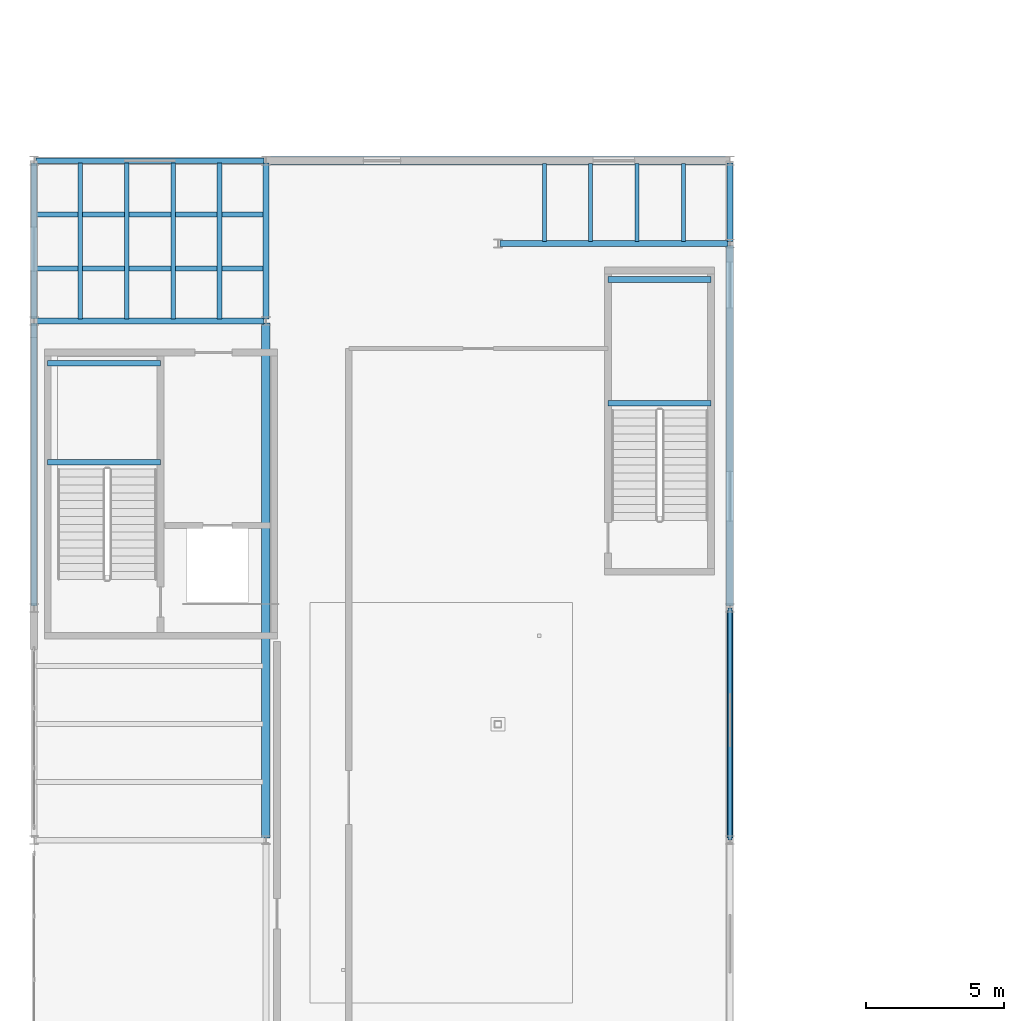
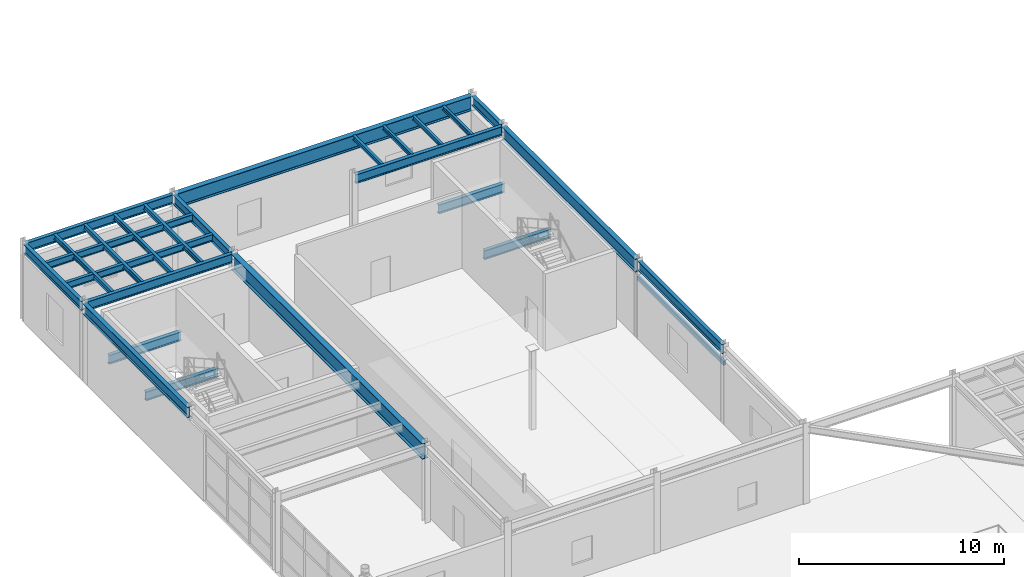
# One storey, part 63 of 116: 26 beams.
"""IFC4 building model written with IfcOpenShell, lengths in metres."""

from ifc_helpers import new_model, si_unit, direction, frame, origin, origin_2d, place, context, subcontext, project, spatial, hollow_rectangle, i_section, extrude, material, material_profile, profile_set, type_object, element, save


model = new_model("IFC4")

# Units and contexts
model_context = context("Model", 3, precision=1e-05, world=origin(), true_north=direction((0.0, 1.0)))
body_context = subcontext(model_context, "Body", "Model", "MODEL_VIEW")
ifc_project = project(units=[si_unit("LENGTHUNIT", "METRE"), si_unit("AREAUNIT", "SQUARE_METRE"), si_unit("VOLUMEUNIT", "CUBIC_METRE"), si_unit("PLANEANGLEUNIT", "RADIAN"), si_unit("MASSUNIT", "GRAM", prefix="KILO")], contexts=[model_context])

# Site, building, storey
site_placement = place(None, origin())
site = spatial("IfcSite", under=ifc_project, at=site_placement, CompositionType="ELEMENT")
building_placement = place(site_placement, origin())
building = spatial("IfcBuilding", under=site, at=building_placement, Name="Selat Folded Stagehouse", CompositionType="ELEMENT")
storey_placement = place(building_placement, frame((0.0, 0.0, 5.39990234375)))
storey = spatial("IfcBuildingStorey", under=building, at=storey_placement, Name="L01", CompositionType="ELEMENT", Elevation=5.39990234375)

# Beams
ifc_material = material(Name="Steel S355", Category="steel")
ifc_material_profile_1 = material_profile(ifc_material, i_section(OverallWidth=0.210693359375, OverallDepth=0.53955078125, WebThickness=0.01171875, FlangeThickness=0.018798828125, FilletRadius=0.0126953125, at=origin_2d()), Name="UKB 533x210x109")
ifc_profile_set_1 = profile_set([ifc_material_profile_1], Name="Steel S355")
beam_type_1 = type_object("IfcBeamType", Name="BM-GIRD-533x210x109", PredefinedType="BEAM", material=ifc_profile_set_1)
for number, where, z_axis, x_axis, name in (
    (1, (0.0, 81.277099609375, 4.310302734375), (0.0, 1.0, 0.0), (-1.0, 0.0, 0.0), "L01 primary y-girder 0806"),
    (2, (8.39990234375, 81.277099609375, 4.310302734375), (0.0, 1.0, 0.0), (-1.0, 0.0, 0.0), "L01 primary y-girder 0809"),
):
    element("IfcBeam", number, at=place(storey_placement, frame(where, z_axis=z_axis, x_axis=x_axis)), inside=storey, type_object=beam_type_1, Name=name, PredefinedType="BEAM", context=body_context, shape_type="SweptSolid", body=[
        extrude(i_section(OverallWidth=0.210693359375, OverallDepth=0.53955078125, WebThickness=0.01171875, FlangeThickness=0.018798828125, FilletRadius=0.0126953125, at=origin_2d()), origin(), (0.0, 0.0, 1.0), 5.64599609375),
    ])
beam_1_placement = place(storey_placement, frame((25.199951171875, 62.47705078125, 4.310302734375), z_axis=(0.0, 1.0, 0.0), x_axis=(-1.0, 0.0, 0.0)))
element("IfcBeam", 3, at=beam_1_placement, inside=storey, type_object=beam_type_1, Name="L01 primary y-girder 0811", PredefinedType="BEAM", context=body_context, shape_type="SweptSolid", body=[
    extrude(i_section(OverallWidth=0.210693359375, OverallDepth=0.53955078125, WebThickness=0.01171875, FlangeThickness=0.018798828125, FilletRadius=0.0126953125, at=origin_2d()), origin(), (0.0, 0.0, 1.0), 8.245849609375),
])
beam_2_placement = place(storey_placement, frame((25.199951171875, 84.076904296875, 4.310302734375), z_axis=(0.0, 1.0, 0.0), x_axis=(-1.0, 0.0, 0.0)))
element("IfcBeam", 4, at=beam_2_placement, inside=storey, type_object=beam_type_1, Name="L01 primary y-girder 0813", PredefinedType="BEAM", context=body_context, shape_type="SweptSolid", body=[
    extrude(i_section(OverallWidth=0.210693359375, OverallDepth=0.53955078125, WebThickness=0.01171875, FlangeThickness=0.018798828125, FilletRadius=0.0126953125, at=origin_2d()), origin(), (0.0, 0.0, 1.0), 2.84619140625),
])
ifc_material_profile_2 = material_profile(ifc_material, i_section(OverallWidth=0.209228515625, OverallDepth=0.533203125, WebThickness=0.010009765625, FlangeThickness=0.015625, FilletRadius=0.0126953125, at=origin_2d()), Name="UKB 533x210x92")
ifc_profile_set_2 = profile_set([ifc_material_profile_2], Name="Steel S355")
beam_type_2 = type_object("IfcBeamType", Name="BM-GIRD-533x210x92", PredefinedType="BEAM", material=ifc_profile_set_2)
for number, where, z_axis, x_axis, name in (
    (5, (0.076904296875, 81.199951171875, 4.3134765625), (1.0, 0.0, 0.0), (0.0, 1.0, 0.0), "L01 primary x-girder 0800"),
    (6, (16.876953125, 84.0, 4.3134765625), (1.0, 0.0, 0.0), (0.0, 1.0, 0.0), "L01 primary x-girder 0801"),
    (7, (0.076904296875, 87.0, 4.3134765625), (1.0, 0.0, 0.0), (0.0, 1.0, 0.0), "L01 primary x-girder 0802"),
):
    element("IfcBeam", number, at=place(storey_placement, frame(where, z_axis=z_axis, x_axis=x_axis)), inside=storey, type_object=beam_type_2, Name=name, PredefinedType="BEAM", context=body_context, shape_type="SweptSolid", body=[
        extrude(i_section(OverallWidth=0.209228515625, OverallDepth=0.533203125, WebThickness=0.010009765625, FlangeThickness=0.015625, FilletRadius=0.0126953125, at=origin_2d()), origin(), (0.0, 0.0, 1.0), 8.24609375),
    ])
for number, where, z_axis, x_axis, name in (
    (8, (0.5, 76.080078125, 1.93359375), (1.0, 0.0, 0.0), (0.0, 1.0, 0.0), "L01 ST-05 landing support beam 1"),
    (9, (0.5, 79.669921875, 1.93359375), (1.0, 0.0, 0.0), (0.0, 1.0, 0.0), "L01 ST-05 landing support beam 2"),
):
    element("IfcBeam", number, at=place(storey_placement, frame(where, z_axis=z_axis, x_axis=x_axis)), inside=storey, type_object=beam_type_2, Name=name, PredefinedType="BEAM", context=body_context, shape_type="SweptSolid", body=[
        extrude(i_section(OverallWidth=0.209228515625, OverallDepth=0.533203125, WebThickness=0.010009765625, FlangeThickness=0.015625, FilletRadius=0.0126953125, at=origin_2d()), origin(), (0.0, 0.0, 1.0), 4.080078125),
    ])
for number, where, z_axis, x_axis, name in (
    (10, (20.780029296875, 78.219970703125, 1.93359375), (1.0, 0.0, 0.0), (0.0, 1.0, 0.0), "L01 ST-07 landing support beam 1"),
    (11, (20.780029296875, 82.699951171875, 1.93359375), (1.0, 0.0, 0.0), (0.0, 1.0, 0.0), "L01 ST-07 landing support beam 2"),
):
    element("IfcBeam", number, at=place(storey_placement, frame(where, z_axis=z_axis, x_axis=x_axis)), inside=storey, type_object=beam_type_2, Name=name, PredefinedType="BEAM", context=body_context, shape_type="SweptSolid", body=[
        extrude(i_section(OverallWidth=0.209228515625, OverallDepth=0.533203125, WebThickness=0.010009765625, FlangeThickness=0.015625, FilletRadius=0.0126953125, at=origin_2d()), origin(), (0.0, 0.0, 1.0), 3.739990234375),
    ])
ifc_material_profile_3 = material_profile(ifc_material, i_section(OverallWidth=0.230224609375, OverallDepth=0.6171875, WebThickness=0.01318359375, FlangeThickness=0.022216796875, FilletRadius=0.0126953125, at=origin_2d()), Name="UKB 610x229x140")
ifc_profile_set_3 = profile_set([ifc_material_profile_3], Name="Steel S355")
beam_type_3 = type_object("IfcBeamType", Name="BM-GIRD-610x229x140", PredefinedType="BEAM", material=ifc_profile_set_3)
beam_3_placement = place(storey_placement, frame((0.0, 70.876953125, 4.271484375), z_axis=(0.0, 1.0, 0.0), x_axis=(-1.0, 0.0, 0.0)))
element("IfcBeam", 12, at=beam_3_placement, inside=storey, type_object=beam_type_3, Name="L01 primary y-girder 0805", PredefinedType="BEAM", context=body_context, shape_type="SweptSolid", body=[
    extrude(i_section(OverallWidth=0.230224609375, OverallDepth=0.6171875, WebThickness=0.01318359375, FlangeThickness=0.022216796875, FilletRadius=0.0126953125, at=origin_2d()), origin(), (0.0, 0.0, 1.0), 10.24609375),
])
ifc_material_profile_4 = material_profile(ifc_material, i_section(OverallWidth=0.26806640625, OverallDepth=0.769775390625, WebThickness=0.015625, FlangeThickness=0.025390625, FilletRadius=0.0166015625, at=origin_2d()), Name="UKB 762x267x197")
ifc_profile_set_4 = profile_set([ifc_material_profile_4], Name="Steel S355")
beam_type_4 = type_object("IfcBeamType", Name="BM-GIRD-762x267x197", PredefinedType="BEAM", material=ifc_profile_set_4)
beam_4_placement = place(storey_placement, frame((25.199951171875, 70.876953125, 4.1953125), z_axis=(0.0, 1.0, 0.0), x_axis=(-1.0, 0.0, 0.0)))
element("IfcBeam", 13, at=beam_4_placement, inside=storey, type_object=beam_type_4, Name="L01 primary y-girder 0812", PredefinedType="BEAM", context=body_context, shape_type="SweptSolid", body=[
    extrude(i_section(OverallWidth=0.26806640625, OverallDepth=0.769775390625, WebThickness=0.015625, FlangeThickness=0.025390625, FilletRadius=0.0166015625, at=origin_2d()), origin(), (0.0, 0.0, 1.0), 13.046142578125),
])
ifc_material_profile_5 = material_profile(ifc_material, i_section(OverallWidth=0.293701171875, OverallDepth=0.850830078125, WebThickness=0.01611328125, FlangeThickness=0.02685546875, FilletRadius=0.017822265625, at=origin_2d()), Name="UKB 838x292x226")
ifc_profile_set_5 = profile_set([ifc_material_profile_5], Name="Steel S355")
beam_type_5 = type_object("IfcBeamType", Name="BM-LONG-838x292x226", PredefinedType="BEAM", material=ifc_profile_set_5)
beam_5_placement = place(storey_placement, frame((8.47705078125, 87.0, 4.15478515625), z_axis=(1.0, 0.0, 0.0), x_axis=(0.0, 1.0, 0.0)))
element("IfcBeam", 14, at=beam_5_placement, inside=storey, type_object=beam_type_5, Name="L01 primary x-girder 0803", PredefinedType="BEAM", context=body_context, shape_type="SweptSolid", body=[
    extrude(i_section(OverallWidth=0.293701171875, OverallDepth=0.850830078125, WebThickness=0.01611328125, FlangeThickness=0.02685546875, FilletRadius=0.017822265625, at=origin_2d()), origin(), (0.0, 0.0, 1.0), 16.64599609375),
])
ifc_material_profile_6 = material_profile(ifc_material, i_section(OverallWidth=0.305419921875, OverallDepth=0.91845703125, WebThickness=0.017333984375, FlangeThickness=0.02783203125, FilletRadius=0.01904296875, at=origin_2d()), Name="UKB 914x305x253")
ifc_profile_set_6 = profile_set([ifc_material_profile_6], Name="Steel S355")
beam_type_6 = type_object("IfcBeamType", Name="BM-LONG-914x305x253", PredefinedType="BEAM", material=ifc_profile_set_6)
beam_6_placement = place(storey_placement, frame((8.39990234375, 62.47705078125, 4.120849609375), z_axis=(0.0, 1.0, 0.0), x_axis=(-1.0, 0.0, 0.0)))
element("IfcBeam", 15, at=beam_6_placement, inside=storey, type_object=beam_type_6, Name="L01 primary y-girder 0808", PredefinedType="BEAM", context=body_context, shape_type="SweptSolid", body=[
    extrude(i_section(OverallWidth=0.305419921875, OverallDepth=0.91845703125, WebThickness=0.017333984375, FlangeThickness=0.02783203125, FilletRadius=0.01904296875, at=origin_2d()), origin(), (0.0, 0.0, 1.0), 18.64599609375),
])
ifc_material_profile_7 = material_profile(ifc_material, i_section(OverallWidth=0.14599609375, OverallDepth=0.25146484375, WebThickness=0.006103515625, FlangeThickness=0.008544921875, FilletRadius=0.007568359375, at=origin_2d()), Name="UKB 254x146x31")
ifc_profile_set_7 = profile_set([ifc_material_profile_7], Name="Steel S355")
beam_type_7 = type_object("IfcBeamType", Name="JST-254x146x31", PredefinedType="JOIST", material=ifc_profile_set_7)
for number, where, z_axis, x_axis, name in (
    (16, (18.47998046875, 84.0732421875, 4.454345703125), (0.0, 1.0, 0.0), (-1.0, 0.0, 0.0), "L01 secondary floor joist 0858"),
    (17, (20.159912109375, 84.0732421875, 4.454345703125), (0.0, 1.0, 0.0), (-1.0, 0.0, 0.0), "L01 secondary floor joist 0859"),
    (18, (21.840087890625, 84.0732421875, 4.454345703125), (0.0, 1.0, 0.0), (-1.0, 0.0, 0.0), "L01 secondary floor joist 0860"),
    (19, (23.52001953125, 84.0732421875, 4.454345703125), (0.0, 1.0, 0.0), (-1.0, 0.0, 0.0), "L01 secondary floor joist 0861"),
):
    element("IfcBeam", number, at=place(storey_placement, frame(where, z_axis=z_axis, x_axis=x_axis)), inside=storey, type_object=beam_type_7, Name=name, PredefinedType="JOIST", context=body_context, shape_type="SweptSolid", body=[
        extrude(i_section(OverallWidth=0.14599609375, OverallDepth=0.25146484375, WebThickness=0.006103515625, FlangeThickness=0.008544921875, FilletRadius=0.007568359375, at=origin_2d()), origin(), (0.0, 0.0, 1.0), 2.823974609375),
    ])
ifc_material_profile_8 = material_profile(ifc_material, i_section(OverallWidth=0.1650390625, OverallDepth=0.303466796875, WebThickness=0.006103515625, FlangeThickness=0.01025390625, FilletRadius=0.0087890625, at=origin_2d()), Name="UKB 305x165x40")
ifc_profile_set_8 = profile_set([ifc_material_profile_8], Name="Steel S355")
beam_type_8 = type_object("IfcBeamType", Name="JST-305x165x40", PredefinedType="JOIST", material=ifc_profile_set_8)
for number, where, z_axis, x_axis, name in (
    (20, (1.679931640625, 81.273193359375, 4.428466796875), (0.0, 1.0, 0.0), (-1.0, 0.0, 0.0), "L01 secondary floor joist 0854"),
    (21, (3.360107421875, 81.273193359375, 4.428466796875), (0.0, 1.0, 0.0), (-1.0, 0.0, 0.0), "L01 secondary floor joist 0855"),
    (22, (5.0400390625, 81.273193359375, 4.428466796875), (0.0, 1.0, 0.0), (-1.0, 0.0, 0.0), "L01 secondary floor joist 0856"),
    (23, (6.719970703125, 81.273193359375, 4.428466796875), (0.0, 1.0, 0.0), (-1.0, 0.0, 0.0), "L01 secondary floor joist 0857"),
):
    element("IfcBeam", number, at=place(storey_placement, frame(where, z_axis=z_axis, x_axis=x_axis)), inside=storey, type_object=beam_type_8, Name=name, PredefinedType="JOIST", context=body_context, shape_type="SweptSolid", body=[
        extrude(i_section(OverallWidth=0.1650390625, OverallDepth=0.303466796875, WebThickness=0.006103515625, FlangeThickness=0.01025390625, FilletRadius=0.0087890625, at=origin_2d()), origin(), (0.0, 0.0, 1.0), 5.653564453125),
    ])
ifc_material_profile_9 = material_profile(ifc_material, i_section(OverallWidth=0.177978515625, OverallDepth=0.406494140625, WebThickness=0.0078125, FlangeThickness=0.0126953125, FilletRadius=0.01025390625, at=origin_2d()), Name="UKB 406x178x60")
ifc_profile_set_9 = profile_set([ifc_material_profile_9], Name="Steel S355")
beam_type_9 = type_object("IfcBeamType", Name="JST-406x178x60", PredefinedType="JOIST", material=ifc_profile_set_9)
for number, where, z_axis, x_axis, name in (
    (24, (0.07373046875, 83.10009765625, 4.376953125), (1.0, 0.0, 0.0), (0.0, 1.0, 0.0), "L01 secondary x-joist 0978"),
    (25, (0.07373046875, 85.050048828125, 4.376953125), (1.0, 0.0, 0.0), (0.0, 1.0, 0.0), "L01 secondary x-joist 0979"),
):
    element("IfcBeam", number, at=place(storey_placement, frame(where, z_axis=z_axis, x_axis=x_axis)), inside=storey, type_object=beam_type_9, Name=name, PredefinedType="JOIST", context=body_context, shape_type="SweptSolid", body=[
        extrude(i_section(OverallWidth=0.177978515625, OverallDepth=0.406494140625, WebThickness=0.0078125, FlangeThickness=0.0126953125, FilletRadius=0.01025390625, at=origin_2d()), origin(), (0.0, 0.0, 1.0), 8.25244140625),
    ])
ifc_material_profile_10 = material_profile(ifc_material, hollow_rectangle(XDim=0.14990234375, YDim=0.25, WallThickness=0.010009765625, at=origin_2d()), Name="RHS 250x150x10.0")
ifc_profile_set_10 = profile_set([ifc_material_profile_10], Name="Steel S355")
beam_type_10 = type_object("IfcBeamType", Name="LNT-RHS-250x150", PredefinedType="LINTEL", material=ifc_profile_set_10)
beam_7_placement = place(storey_placement, frame((25.199951171875, 62.39990234375, 3.5), z_axis=(0.0, 1.0, 0.0), x_axis=(-1.0, 0.0, 0.0)))
element("IfcBeam", 26, at=beam_7_placement, inside=storey, type_object=beam_type_10, Name="L01 structural lintel beam 05", PredefinedType="LINTEL", context=body_context, shape_type="SweptSolid", body=[
    extrude(hollow_rectangle(XDim=0.14990234375, YDim=0.25, WallThickness=0.010009765625, at=origin_2d()), origin(), (0.0, 0.0, 1.0), 8.400146484375),
])

save(model, "model.ifc")
